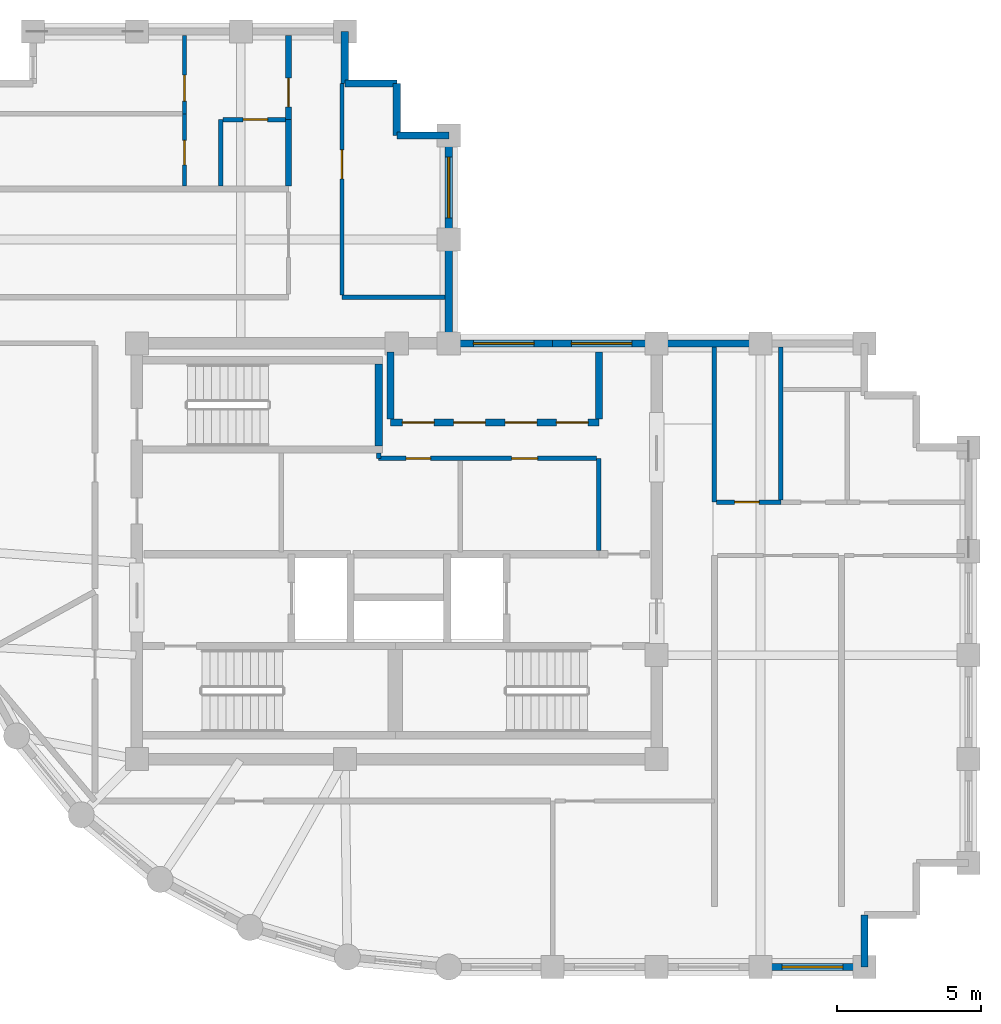
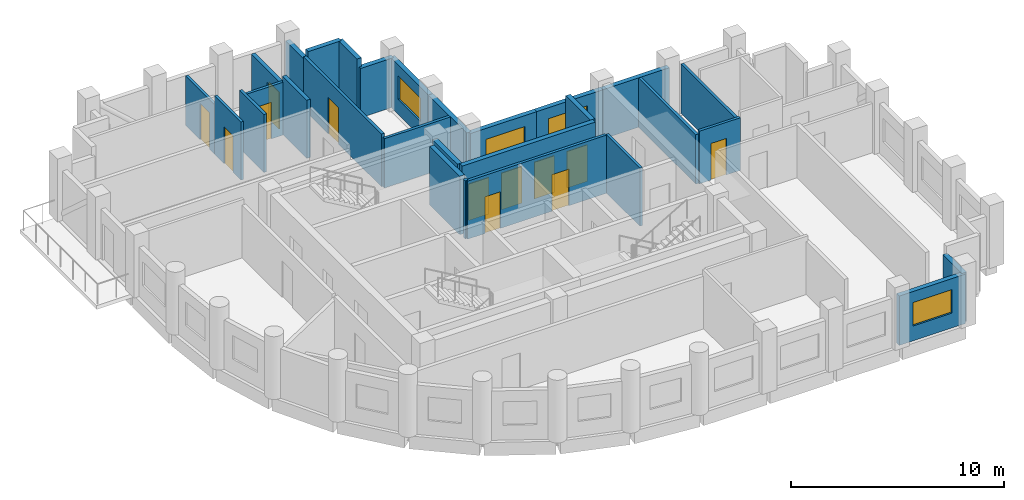
# One storey, part 4 of 6: 29 walls, 12 doors, 4 windows, 16 openings.
"""IFC4 building model written with IfcOpenShell, lengths in metres."""

from ifc_helpers import new_model, si_unit, direction, frame, frame_2d, origin, place, context, subcontext, project, spatial, rectangle, extrude, material, layer, layer_set, type_object, element, fill, save


model = new_model("IFC4")

# Units and contexts
model_context = context("Model", 3, precision=1e-05, world=origin(), true_north=direction((0.0, 1.0)))
body_context = subcontext(model_context, "Body", "Model", "MODEL_VIEW")
ifc_project = project(units=[si_unit("LENGTHUNIT", "METRE"), si_unit("AREAUNIT", "SQUARE_METRE"), si_unit("VOLUMEUNIT", "CUBIC_METRE"), si_unit("PLANEANGLEUNIT", "RADIAN"), si_unit("MASSUNIT", "GRAM", prefix="KILO")], contexts=[model_context])

# Site, building, storey
site_placement = place(None, origin())
site = spatial("IfcSite", under=ifc_project, at=site_placement, CompositionType="ELEMENT")
building_placement = place(site_placement, origin())
building = spatial("IfcBuilding", under=site, at=building_placement, Name="Solnavia Interchange Tower", CompositionType="ELEMENT")
storey_placement = place(building_placement, frame((0.0, 0.0, 270.199951171875)))
storey = spatial("IfcBuildingStorey", under=building, at=storey_placement, Name="L68", CompositionType="ELEMENT", Elevation=270.199951171875)

# Wall
ifc_material_1 = material(Name="Gypsum Acoustic Twin-Stud & Mineral Wool", Category="gypsum")
ifc_layer_1 = layer(ifc_material_1, 0.199951171875)
ifc_layer_set_1 = layer_set([ifc_layer_1], Name="Gypsum Acoustic Twin-Stud & Mineral Wool")
wall_type_1 = type_object("IfcWallType", Name="Wall-ApartmentParty-200", PredefinedType="PARTITIONING", material=ifc_layer_set_1)
wall_1_placement = place(storey_placement, frame((19.64990234375, 30.654052734375, 0.0), z_axis=(0.0, 0.0, 1.0), x_axis=(0.0, 1.0, 0.0)))
element("IfcWall", 1, at=wall_1_placement, inside=storey, type_object=wall_type_1, Name="PTW-L68-23 Interior partition wall", PredefinedType="PARTITIONING", context=body_context, shape_type="SweptSolid", body=[
    extrude(rectangle(XDim=2.2958984375, YDim=0.199951171875, at=frame_2d((1.14794921875, 0.0))), origin(), (0.0, 0.0, 1.0), 3.3349609375),
])

# Wall, opening, door
wall_2_placement = place(storey_placement, frame((19.64990234375, 32.949951171875, 0.0), z_axis=(0.0, 0.0, 1.0), x_axis=(0.0, 1.0, 0.0)))
wall_2 = element("IfcWall", 2, at=wall_2_placement, inside=storey, type_object=wall_type_1, Name="PTW-L68-26 Interior partition wall", PredefinedType="PARTITIONING", context=body_context, shape_type="SweptSolid", body=[
    extrude(rectangle(XDim=2.921142578125, YDim=0.199951171875, at=frame_2d((1.46044921875, 0.0))), origin(), (0.0, 0.0, 1.0), 2.830078125),
])
opening_1_placement = place(wall_2_placement, frame((0.43798828125, 0.0, 0.0)))
opening_1 = element("IfcOpeningElement", 3, at=opening_1_placement, cuts=wall_2, Name="Opening DR-06", PredefinedType="OPENING", context=body_context, shape_type="SweptSolid", body=[
    extrude(rectangle(XDim=1.0, YDim=2.10009765625, at=frame_2d((0.5, 1.050048828125))), frame((0.0, 0.10986328125, 0.0), z_axis=(0.0, -1.0, 0.0), x_axis=(1.0, 0.0, 0.0)), (0.0, 0.0, 1.0), 0.219970703125),
])
ifc_material_2 = material(Name="Engineered Timber Acoustic Fire Door", Category="wood")
door_type_1 = type_object("IfcDoorType", Name="Door-FlatEntry-1000x2100", OperationType="SINGLE_SWING_LEFT", PredefinedType="DOOR", material=ifc_material_2)
door_1_placement = place(opening_1_placement, origin())
door_1 = element("IfcDoor", 4, at=door_1_placement, inside=storey, type_object=door_type_1, Name="DR-L68-12 Interior room door", OperationType="SINGLE_SWING_RIGHT", OverallHeight=2.10009765625, OverallWidth=1.0, PredefinedType="DOOR", context=body_context, shape_type="SweptSolid", body=[
    extrude(rectangle(XDim=1.0, YDim=2.10009765625, at=frame_2d((0.5, 1.050048828125))), frame((0.0, 0.02490234375, 0.0), z_axis=(0.0, -1.0, 0.0), x_axis=(1.0, 0.0, 0.0)), (0.0, 0.0, 1.0), 0.050048828125),
])
fill(opening_1, door_1)

# Wall, opening, window
ifc_material_3 = material(Name="Concrete C40/50", Category="concrete")
ifc_layer_2 = layer(ifc_material_3, 0.25)
ifc_layer_set_2 = layer_set([ifc_layer_2], Name="Concrete C40/50")
wall_type_2 = type_object("IfcWallType", Name="Wall-ExtSpandrel-250", PredefinedType="STANDARD", material=ifc_layer_set_2)
wall_3_placement = place(storey_placement, frame((39.60009765625, 3.60009765625, 0.0), z_axis=(0.0, 0.0, 1.0), x_axis=(-1.0, 0.0, 0.0)))
wall_3 = element("IfcWall", 5, at=wall_3_placement, inside=storey, type_object=wall_type_2, Name="EXW-L68-04 Exterior precast spandrel wall", PredefinedType="STANDARD", context=body_context, shape_type="SweptSolid", body=[
    extrude(rectangle(XDim=3.60009765625, YDim=0.25, at=frame_2d((1.800048828125, 0.0))), origin(), (0.0, 0.0, 1.0), 2.830078125),
])
opening_2_placement = place(wall_3_placement, frame((0.75, 0.0, 0.85009765625)))
opening_2 = element("IfcOpeningElement", 6, at=opening_2_placement, cuts=wall_3, Name="Opening WIN-01", PredefinedType="OPENING", context=body_context, shape_type="SweptSolid", body=[
    extrude(rectangle(XDim=2.10009765625, YDim=1.35009765625, at=frame_2d((1.050048828125, 0.675048828125))), frame((0.0, 0.135009765625, 0.0), z_axis=(0.0, -1.0, 0.0), x_axis=(1.0, 0.0, 0.0)), (0.0, 0.0, 1.0), 0.27001953125),
])
ifc_material_4 = material(Name="Thermal-Break Aluminium & Low-E Glass", Category="aluminium")
window_type = type_object("IfcWindowType", Name="Window-Ribbon-2100x1350", PartitioningType="SINGLE_PANEL", PredefinedType="WINDOW", material=ifc_material_4)
window_1_placement = place(opening_2_placement, origin())
window_1 = element("IfcWindow", 7, at=window_1_placement, inside=storey, type_object=window_type, Name="WIN-L68-04 Facade ribbon window", OverallHeight=1.35009765625, OverallWidth=2.10009765625, PartitioningType="SINGLE_PANEL", PredefinedType="WINDOW", context=body_context, shape_type="SweptSolid", body=[
    extrude(rectangle(XDim=2.10009765625, YDim=1.35009765625, at=frame_2d((1.050048828125, 0.675048828125))), frame((0.0, 0.030029296875, 0.0), z_axis=(0.0, -1.0, 0.0), x_axis=(1.0, 0.0, 0.0)), (0.0, 0.0, 1.0), 0.06005859375),
])
fill(opening_2, window_1)

# Walls
wall_4_placement = place(storey_placement, frame((39.60009765625, 5.39990234375, 0.0), z_axis=(0.0, 0.0, 1.0), x_axis=(0.0, -1.0, 0.0)))
element("IfcWall", 8, at=wall_4_placement, inside=storey, type_object=wall_type_2, Name="EXW-L68-05 Exterior precast spandrel wall", PredefinedType="STANDARD", context=body_context, shape_type="SweptSolid", body=[
    extrude(rectangle(XDim=1.7998046875, YDim=0.25, at=frame_2d((0.89990234375, 0.0))), origin(), (0.0, 0.0, 1.0), 2.830078125),
])
wall_5_placement = place(storey_placement, frame((32.39990234375, 25.199951171875, 0.0), z_axis=(0.0, 0.0, 1.0), x_axis=(1.0, 0.0, 0.0)))
element("IfcWall", 9, at=wall_5_placement, inside=storey, type_object=wall_type_2, Name="EXW-L68-18 Exterior precast spandrel wall", PredefinedType="STANDARD", context=body_context, shape_type="SweptSolid", body=[
    extrude(rectangle(XDim=3.60009765625, YDim=0.25, at=frame_2d((1.800048828125, 0.0))), origin(), (0.0, 0.0, 1.0), 2.830078125),
])

# Wall, opening, window
wall_6_placement = place(storey_placement, frame((28.800048828125, 25.199951171875, 0.0), z_axis=(0.0, 0.0, 1.0), x_axis=(1.0, 0.0, 0.0)))
wall_6 = element("IfcWall", 10, at=wall_6_placement, inside=storey, type_object=wall_type_2, Name="EXW-L68-19 Exterior precast spandrel wall", PredefinedType="STANDARD", context=body_context, shape_type="SweptSolid", body=[
    extrude(rectangle(XDim=3.599853515625, YDim=0.25, at=frame_2d((1.7998046875, 0.0))), origin(), (0.0, 0.0, 1.0), 2.830078125),
])
opening_3_placement = place(wall_6_placement, frame((0.64501953125, 0.0, 0.85009765625)))
opening_3 = element("IfcOpeningElement", 11, at=opening_3_placement, cuts=wall_6, Name="Opening WIN-01", PredefinedType="OPENING", context=body_context, shape_type="SweptSolid", body=[
    extrude(rectangle(XDim=2.10009765625, YDim=1.35009765625, at=frame_2d((1.050048828125, 0.675048828125))), frame((0.0, 0.135009765625, 0.0), z_axis=(0.0, -1.0, 0.0), x_axis=(1.0, 0.0, 0.0)), (0.0, 0.0, 1.0), 0.27001953125),
])
window_2_placement = place(opening_3_placement, origin())
window_2 = element("IfcWindow", 12, at=window_2_placement, inside=storey, type_object=window_type, Name="WIN-L68-19 Facade ribbon window", OverallHeight=1.35009765625, OverallWidth=2.10009765625, PartitioningType="SINGLE_PANEL", PredefinedType="WINDOW", context=body_context, shape_type="SweptSolid", body=[
    extrude(rectangle(XDim=2.10009765625, YDim=1.35009765625, at=frame_2d((1.050048828125, 0.675048828125))), frame((0.0, 0.030029296875, 0.0), z_axis=(0.0, -1.0, 0.0), x_axis=(1.0, 0.0, 0.0)), (0.0, 0.0, 1.0), 0.06005859375),
])
fill(opening_3, window_2)

wall_7_placement = place(storey_placement, frame((25.199951171875, 25.199951171875, 0.0), z_axis=(0.0, 0.0, 1.0), x_axis=(1.0, 0.0, 0.0)))
wall_7 = element("IfcWall", 13, at=wall_7_placement, inside=storey, type_object=wall_type_2, Name="EXW-L68-20 Exterior precast spandrel wall", PredefinedType="STANDARD", context=body_context, shape_type="SweptSolid", body=[
    extrude(rectangle(XDim=3.60009765625, YDim=0.25, at=frame_2d((1.800048828125, 0.0))), origin(), (0.0, 0.0, 1.0), 2.830078125),
])
opening_4_placement = place(wall_7_placement, frame((0.85498046875, 0.0, 0.85009765625)))
opening_4 = element("IfcOpeningElement", 14, at=opening_4_placement, cuts=wall_7, Name="Opening WIN-01", PredefinedType="OPENING", context=body_context, shape_type="SweptSolid", body=[
    extrude(rectangle(XDim=2.10009765625, YDim=1.35009765625, at=frame_2d((1.050048828125, 0.675048828125))), frame((0.0, 0.135009765625, 0.0), z_axis=(0.0, -1.0, 0.0), x_axis=(1.0, 0.0, 0.0)), (0.0, 0.0, 1.0), 0.27001953125),
])
window_3_placement = place(opening_4_placement, origin())
window_3 = element("IfcWindow", 15, at=window_3_placement, inside=storey, type_object=window_type, Name="WIN-L68-20 Facade ribbon window", OverallHeight=1.35009765625, OverallWidth=2.10009765625, PartitioningType="SINGLE_PANEL", PredefinedType="WINDOW", context=body_context, shape_type="SweptSolid", body=[
    extrude(rectangle(XDim=2.10009765625, YDim=1.35009765625, at=frame_2d((1.050048828125, 0.675048828125))), frame((0.0, 0.030029296875, 0.0), z_axis=(0.0, -1.0, 0.0), x_axis=(1.0, 0.0, 0.0)), (0.0, 0.0, 1.0), 0.06005859375),
])
fill(opening_4, window_3)

# Wall
wall_8_placement = place(storey_placement, frame((25.199951171875, 28.800048828125, 0.0), z_axis=(0.0, 0.0, 1.0), x_axis=(0.0, -1.0, 0.0)))
element("IfcWall", 16, at=wall_8_placement, inside=storey, type_object=wall_type_2, Name="EXW-L68-21 Exterior precast spandrel wall", PredefinedType="STANDARD", context=body_context, shape_type="SweptSolid", body=[
    extrude(rectangle(XDim=3.60009765625, YDim=0.25, at=frame_2d((1.800048828125, 0.0))), origin(), (0.0, 0.0, 1.0), 2.830078125),
])

# Wall, opening, window
wall_9_placement = place(storey_placement, frame((25.199951171875, 32.39990234375, 0.0), z_axis=(0.0, 0.0, 1.0), x_axis=(0.0, -1.0, 0.0)))
wall_9 = element("IfcWall", 17, at=wall_9_placement, inside=storey, type_object=wall_type_2, Name="EXW-L68-22 Exterior precast spandrel wall", PredefinedType="STANDARD", context=body_context, shape_type="SweptSolid", body=[
    extrude(rectangle(XDim=3.599853515625, YDim=0.25, at=frame_2d((1.7998046875, 0.0))), origin(), (0.0, 0.0, 1.0), 2.830078125),
])
opening_5_placement = place(wall_9_placement, frame((0.75, 0.0, 0.85009765625)))
opening_5 = element("IfcOpeningElement", 18, at=opening_5_placement, cuts=wall_9, Name="Opening WIN-01", PredefinedType="OPENING", context=body_context, shape_type="SweptSolid", body=[
    extrude(rectangle(XDim=2.10009765625, YDim=1.35009765625, at=frame_2d((1.050048828125, 0.675048828125))), frame((0.0, 0.135009765625, 0.0), z_axis=(0.0, -1.0, 0.0), x_axis=(1.0, 0.0, 0.0)), (0.0, 0.0, 1.0), 0.27001953125),
])
window_4_placement = place(opening_5_placement, origin())
window_4 = element("IfcWindow", 19, at=window_4_placement, inside=storey, type_object=window_type, Name="WIN-L68-22 Facade ribbon window", OverallHeight=1.35009765625, OverallWidth=2.10009765625, PartitioningType="SINGLE_PANEL", PredefinedType="WINDOW", context=body_context, shape_type="SweptSolid", body=[
    extrude(rectangle(XDim=2.10009765625, YDim=1.35009765625, at=frame_2d((1.050048828125, 0.675048828125))), frame((0.0, 0.030029296875, 0.0), z_axis=(0.0, -1.0, 0.0), x_axis=(1.0, 0.0, 0.0)), (0.0, 0.0, 1.0), 0.06005859375),
])
fill(opening_5, window_4)

# Walls
wall_10_placement = place(storey_placement, frame((23.39990234375, 32.39990234375, 0.0), z_axis=(0.0, 0.0, 1.0), x_axis=(1.0, 0.0, 0.0)))
element("IfcWall", 20, at=wall_10_placement, inside=storey, type_object=wall_type_2, Name="EXW-L68-23 Exterior precast spandrel wall", PredefinedType="STANDARD", context=body_context, shape_type="SweptSolid", body=[
    extrude(rectangle(XDim=1.800048828125, YDim=0.25, at=frame_2d((0.89990234375, 0.0))), origin(), (0.0, 0.0, 1.0), 2.830078125),
])
wall_11_placement = place(storey_placement, frame((23.39990234375, 32.39990234375, 0.0), z_axis=(0.0, 0.0, 1.0), x_axis=(0.0, 1.0, 0.0)))
element("IfcWall", 21, at=wall_11_placement, inside=storey, type_object=wall_type_2, Name="EXW-L68-24 Exterior precast spandrel wall", PredefinedType="STANDARD", context=body_context, shape_type="SweptSolid", body=[
    extrude(rectangle(XDim=1.800048828125, YDim=0.25, at=frame_2d((0.89990234375, 0.0))), origin(), (0.0, 0.0, 1.0), 3.3349609375),
])
wall_12_placement = place(storey_placement, frame((21.60009765625, 34.199951171875, 0.0), z_axis=(0.0, 0.0, 1.0), x_axis=(1.0, 0.0, 0.0)))
element("IfcWall", 22, at=wall_12_placement, inside=storey, type_object=wall_type_2, Name="EXW-L68-25 Exterior precast spandrel wall", PredefinedType="STANDARD", context=body_context, shape_type="SweptSolid", body=[
    extrude(rectangle(XDim=1.7998046875, YDim=0.25, at=frame_2d((0.89990234375, 0.0))), origin(), (0.0, 0.0, 1.0), 3.3349609375),
])
wall_13_placement = place(storey_placement, frame((21.60009765625, 34.199951171875, 0.0), z_axis=(0.0, 0.0, 1.0), x_axis=(0.0, 1.0, 0.0)))
element("IfcWall", 23, at=wall_13_placement, inside=storey, type_object=wall_type_2, Name="EXW-L68-26 Exterior precast spandrel wall", PredefinedType="STANDARD", context=body_context, shape_type="SweptSolid", body=[
    extrude(rectangle(XDim=1.800048828125, YDim=0.25, at=frame_2d((0.89990234375, 0.0))), origin(), (0.0, 0.0, 1.0), 2.830078125),
])

# Wall, openings, doors
ifc_material_5 = material(Name="Gypsum Plasterboard & Steel Stud", Category="steel")
ifc_layer_3 = layer(ifc_material_5, 0.14990234375)
ifc_layer_set_3 = layer_set([ifc_layer_3], Name="Gypsum Plasterboard & Steel Stud")
wall_type_3 = type_object("IfcWallType", Name="Wall-Partition-150", PredefinedType="PARTITIONING", material=ifc_layer_set_3)
wall_14_placement = place(storey_placement, frame((22.77490234375, 21.219970703125, 0.0), z_axis=(0.0, 0.0, 1.0), x_axis=(1.0, 0.0, 0.0)))
wall_14 = element("IfcWall", 24, at=wall_14_placement, inside=storey, type_object=wall_type_3, Name="CSW-L68-N-ALL Core shaft wall", PredefinedType="PARTITIONING", context=body_context, shape_type="SweptSolid", body=[
    extrude(rectangle(XDim=7.545166015625, YDim=0.14990234375, at=frame_2d((3.7724609375, 0.0))), origin(), (0.0, 0.0, 1.0), 3.3349609375),
])
opening_6_placement = place(wall_14_placement, frame((0.949951171875, 0.0, 0.0)))
opening_6 = element("IfcOpeningElement", 25, at=opening_6_placement, cuts=wall_14, Name="Opening DR-10", PredefinedType="OPENING", context=body_context, shape_type="SweptSolid", body=[
    extrude(rectangle(XDim=0.85009765625, YDim=2.10009765625, at=frame_2d((0.425048828125, 1.050048828125))), frame((0.0, 0.0849609375, 0.0), z_axis=(0.0, -1.0, 0.0), x_axis=(1.0, 0.0, 0.0)), (0.0, 0.0, 1.0), 0.169921875),
])
opening_7_placement = place(wall_14_placement, frame((4.60009765625, 0.0, 0.0)))
opening_7 = element("IfcOpeningElement", 26, at=opening_7_placement, cuts=wall_14, Name="Opening DR-09", PredefinedType="OPENING", context=body_context, shape_type="SweptSolid", body=[
    extrude(rectangle(XDim=0.89990234375, YDim=2.10009765625, at=frame_2d((0.449951171875, 1.050048828125))), frame((0.0, 0.0849609375, 0.0), z_axis=(0.0, -1.0, 0.0), x_axis=(1.0, 0.0, 0.0)), (0.0, 0.0, 1.0), 0.169921875),
])
ifc_material_6 = material(Name="Moisture-Resistant Timber Door", Category="wood")
door_type_2 = type_object("IfcDoorType", Name="Door-Bathroom-850x2100", OperationType="SINGLE_SWING_RIGHT", PredefinedType="DOOR", material=ifc_material_6)
door_2_placement = place(opening_6_placement, origin())
door_2 = element("IfcDoor", 27, at=door_2_placement, inside=storey, type_object=door_type_2, Name="DR-L68-CS2 Core fire door", OperationType="SINGLE_SWING_LEFT", OverallHeight=2.10009765625, OverallWidth=0.85009765625, PredefinedType="DOOR", context=body_context, shape_type="SweptSolid", body=[
    extrude(rectangle(XDim=0.85009765625, YDim=2.10009765625, at=frame_2d((0.425048828125, 1.050048828125))), frame((0.0, 0.02490234375, 0.0), z_axis=(0.0, -1.0, 0.0), x_axis=(1.0, 0.0, 0.0)), (0.0, 0.0, 1.0), 0.050048828125),
])
fill(opening_6, door_2)
ifc_material_7 = material(Name="Engineered Oak Veneer Door", Category="wood")
door_type_3 = type_object("IfcDoorType", Name="Door-Internal-900x2100", OperationType="SINGLE_SWING_LEFT", PredefinedType="DOOR", material=ifc_material_7)
door_3_placement = place(opening_7_placement, origin())
door_3 = element("IfcDoor", 28, at=door_3_placement, inside=storey, type_object=door_type_3, Name="DR-L68-CS3 Core fire door", OperationType="SINGLE_SWING_RIGHT", OverallHeight=2.10009765625, OverallWidth=0.89990234375, PredefinedType="DOOR", context=body_context, shape_type="SweptSolid", body=[
    extrude(rectangle(XDim=0.89990234375, YDim=2.10009765625, at=frame_2d((0.449951171875, 1.050048828125))), frame((0.0, 0.02490234375, 0.0), z_axis=(0.0, -1.0, 0.0), x_axis=(1.0, 0.0, 0.0)), (0.0, 0.0, 1.0), 0.050048828125),
])
fill(opening_7, door_3)

# Walls
wall_15_placement = place(storey_placement, frame((22.77490234375, 21.219970703125, 0.0), z_axis=(0.0, 0.0, 1.0), x_axis=(0.0, 1.0, 0.0)))
element("IfcWall", 29, at=wall_15_placement, inside=storey, type_object=wall_type_3, Name="CSW-L68-ST-TIE Core shaft wall", PredefinedType="PARTITIONING", context=body_context, shape_type="SweptSolid", body=[
    extrude(rectangle(XDim=0.175048828125, YDim=0.14990234375, at=frame_2d((0.08740234375, 0.0))), origin(), (0.0, 0.0, 1.0), 3.3349609375),
])
wall_16_placement = place(storey_placement, frame((30.39990234375, 18.02001953125, 0.0), z_axis=(0.0, 0.0, 1.0), x_axis=(0.0, 1.0, 0.0)))
element("IfcWall", 30, at=wall_16_placement, inside=storey, type_object=wall_type_3, Name="CSW-L68-E-E Core shaft wall", PredefinedType="PARTITIONING", context=body_context, shape_type="SweptSolid", body=[
    extrude(rectangle(XDim=3.199951171875, YDim=0.14990234375, at=frame_2d((1.60009765625, 0.0))), origin(), (0.0, 0.0, 1.0), 3.3349609375),
])

# Wall, opening, door
wall_17_placement = place(storey_placement, frame((16.050048828125, 33.14990234375, 0.0), z_axis=(0.0, 0.0, 1.0), x_axis=(0.0, 1.0, 0.0)))
wall_17 = element("IfcWall", 31, at=wall_17_placement, inside=storey, type_object=wall_type_3, Name="PTW-L68-27 Interior partition wall", PredefinedType="PARTITIONING", context=body_context, shape_type="SweptSolid", body=[
    extrude(rectangle(XDim=2.72119140625, YDim=0.14990234375, at=frame_2d((1.360595703125, 0.0))), origin(), (0.0, 0.0, 1.0), 2.830078125),
])
opening_8_placement = place(wall_17_placement, frame((0.43701171875, 0.0, 0.0)))
opening_8 = element("IfcOpeningElement", 32, at=opening_8_placement, cuts=wall_17, Name="Opening DR-09", PredefinedType="OPENING", context=body_context, shape_type="SweptSolid", body=[
    extrude(rectangle(XDim=0.89990234375, YDim=2.10009765625, at=frame_2d((0.449951171875, 1.050048828125))), frame((0.0, 0.0849609375, 0.0), z_axis=(0.0, -1.0, 0.0), x_axis=(1.0, 0.0, 0.0)), (0.0, 0.0, 1.0), 0.169921875),
])
door_4_placement = place(opening_8_placement, origin())
door_4 = element("IfcDoor", 33, at=door_4_placement, inside=storey, type_object=door_type_3, Name="DR-L68-13 Interior room door", OperationType="SINGLE_SWING_LEFT", OverallHeight=2.10009765625, OverallWidth=0.89990234375, PredefinedType="DOOR", context=body_context, shape_type="SweptSolid", body=[
    extrude(rectangle(XDim=0.89990234375, YDim=2.10009765625, at=frame_2d((0.449951171875, 1.050048828125))), frame((0.0, 0.02490234375, 0.0), z_axis=(0.0, -1.0, 0.0), x_axis=(1.0, 0.0, 0.0)), (0.0, 0.0, 1.0), 0.050048828125),
])
fill(opening_8, door_4)

# Wall
wall_18_placement = place(storey_placement, frame((21.5, 26.800048828125, 0.0), z_axis=(0.0, 0.0, 1.0), x_axis=(1.0, 0.0, 0.0)))
element("IfcWall", 34, at=wall_18_placement, inside=storey, type_object=wall_type_3, Name="PTW-L68-30 Interior partition wall", PredefinedType="PARTITIONING", context=body_context, shape_type="SweptSolid", body=[
    extrude(rectangle(XDim=3.571044921875, YDim=0.14990234375, at=frame_2d((1.78564453125, 0.0))), origin(), (0.0, 0.0, 1.0), 2.830078125),
])

# Wall, opening, door
wall_19_placement = place(storey_placement, frame((21.5, 26.87890625, 0.0), z_axis=(0.0, 0.0, 1.0), x_axis=(0.0, 1.0, 0.0)))
wall_19 = element("IfcWall", 35, at=wall_19_placement, inside=storey, type_object=wall_type_3, Name="PTW-L68-31 Interior partition wall", PredefinedType="PARTITIONING", context=body_context, shape_type="SweptSolid", body=[
    extrude(rectangle(XDim=7.321044921875, YDim=0.14990234375, at=frame_2d((3.66064453125, 0.0))), origin(), (0.0, 0.0, 1.0), 3.030029296875),
])
opening_9_placement = place(wall_19_placement, frame((4.02099609375, 0.0, 0.0)))
opening_9 = element("IfcOpeningElement", 36, at=opening_9_placement, cuts=wall_19, Name="Opening DR-07", PredefinedType="OPENING", context=body_context, shape_type="SweptSolid", body=[
    extrude(rectangle(XDim=1.0, YDim=2.10009765625, at=frame_2d((0.5, 1.050048828125))), frame((0.0, 0.0849609375, 0.0), z_axis=(0.0, -1.0, 0.0), x_axis=(1.0, 0.0, 0.0)), (0.0, 0.0, 1.0), 0.169921875),
])
ifc_material_8 = material(Name="Timber & Acoustic Glazed Office Door", Category="wood")
door_type_4 = type_object("IfcDoorType", Name="Door-Office-1000x2100", OperationType="SINGLE_SWING_RIGHT", PredefinedType="DOOR", material=ifc_material_8)
door_5_placement = place(opening_9_placement, origin())
door_5 = element("IfcDoor", 37, at=door_5_placement, inside=storey, type_object=door_type_4, Name="DR-L68-15 Interior room door", OperationType="SINGLE_SWING_LEFT", OverallHeight=2.10009765625, OverallWidth=1.0, PredefinedType="DOOR", context=body_context, shape_type="SweptSolid", body=[
    extrude(rectangle(XDim=1.0, YDim=2.10009765625, at=frame_2d((0.5, 1.050048828125))), frame((0.0, 0.02490234375, 0.0), z_axis=(0.0, -1.0, 0.0), x_axis=(1.0, 0.0, 0.0)), (0.0, 0.0, 1.0), 0.050048828125),
])
fill(opening_9, door_5)

# Wall
ifc_layer_4 = layer(ifc_material_3, 0.25)
ifc_layer_set_4 = layer_set([ifc_layer_4], Name="Concrete C40/50")
wall_type_4 = type_object("IfcWallType", Name="Wall-ShaftCore-250", PredefinedType="SHEAR", material=ifc_layer_set_4)
wall_20_placement = place(storey_placement, frame((22.77490234375, 21.64990234375, 0.0), z_axis=(0.0, 0.0, 1.0), x_axis=(0.0, 1.0, 0.0)))
element("IfcWall", 38, at=wall_20_placement, inside=storey, type_object=wall_type_4, Name="SHW-L68-ST3E Core shear wall", PredefinedType="SHEAR", context=body_context, shape_type="SweptSolid", body=[
    extrude(rectangle(XDim=2.840087890625, YDim=0.25, at=frame_2d((1.419921875, 0.0))), origin(), (0.0, 0.0, 1.0), 3.35009765625),
])

# Wall, openings, doors
ifc_layer_5 = layer(ifc_material_3, 0.25)
ifc_layer_set_5 = layer_set([ifc_layer_5], Name="Concrete C40/50")
wall_type_5 = type_object("IfcWallType", Name="Wall-ShaftPart-250", PredefinedType="PARTITIONING", material=ifc_layer_set_5)
wall_21_placement = place(storey_placement, frame((23.179931640625, 22.4599609375, 0.0), z_axis=(0.0, 0.0, 1.0), x_axis=(1.0, 0.0, 0.0)))
wall_21 = element("IfcWall", 39, at=wall_21_placement, inside=storey, type_object=wall_type_5, Name="SHW-L68-B3S Core shaft wall", PredefinedType="PARTITIONING", context=body_context, shape_type="SweptSolid", body=[
    extrude(rectangle(XDim=7.219970703125, YDim=0.25, at=frame_2d((3.60986328125, 0.0))), origin(), (0.0, 0.0, 1.0), 3.3349609375),
])
opening_10_placement = place(wall_21_placement, frame((0.409912109375, 0.0, 0.0)))
opening_10 = element("IfcOpeningElement", 40, at=opening_10_placement, cuts=wall_21, Name="Opening LD-01", PredefinedType="OPENING", context=body_context, shape_type="SweptSolid", body=[
    extrude(rectangle(XDim=1.10009765625, YDim=2.10009765625, at=frame_2d((0.550048828125, 1.050048828125))), frame((0.0, 0.135009765625, 0.0), z_axis=(0.0, -1.0, 0.0), x_axis=(1.0, 0.0, 0.0)), (0.0, 0.0, 1.0), 0.27001953125),
])
opening_11_placement = place(wall_21_placement, frame((2.18994140625, 0.0, 0.0)))
opening_11 = element("IfcOpeningElement", 41, at=opening_11_placement, cuts=wall_21, Name="Opening LD-01", PredefinedType="OPENING", context=body_context, shape_type="SweptSolid", body=[
    extrude(rectangle(XDim=1.10009765625, YDim=2.10009765625, at=frame_2d((0.550048828125, 1.050048828125))), frame((0.0, 0.135009765625, 0.0), z_axis=(0.0, -1.0, 0.0), x_axis=(1.0, 0.0, 0.0)), (0.0, 0.0, 1.0), 0.27001953125),
])
opening_12_placement = place(wall_21_placement, frame((3.969970703125, 0.0, 0.0)))
opening_12 = element("IfcOpeningElement", 42, at=opening_12_placement, cuts=wall_21, Name="Opening LD-01", PredefinedType="OPENING", context=body_context, shape_type="SweptSolid", body=[
    extrude(rectangle(XDim=1.10009765625, YDim=2.10009765625, at=frame_2d((0.550048828125, 1.050048828125))), frame((0.0, 0.135009765625, 0.0), z_axis=(0.0, -1.0, 0.0), x_axis=(1.0, 0.0, 0.0)), (0.0, 0.0, 1.0), 0.27001953125),
])
opening_13_placement = place(wall_21_placement, frame((5.75, 0.0, 0.0)))
opening_13 = element("IfcOpeningElement", 43, at=opening_13_placement, cuts=wall_21, Name="Opening LD-01", PredefinedType="OPENING", context=body_context, shape_type="SweptSolid", body=[
    extrude(rectangle(XDim=1.10009765625, YDim=2.10009765625, at=frame_2d((0.550048828125, 1.050048828125))), frame((0.0, 0.135009765625, 0.0), z_axis=(0.0, -1.0, 0.0), x_axis=(1.0, 0.0, 0.0)), (0.0, 0.0, 1.0), 0.27001953125),
])
ifc_material_9 = material(Name="Brushed Stainless Steel Sliding Door", Category="steel")
door_type_5 = type_object("IfcDoorType", Name="Door-LiftLanding-1100x2100", OperationType="SLIDING_TO_LEFT", PredefinedType="DOOR", material=ifc_material_9)
door_6_placement = place(opening_10_placement, origin())
door_6 = element("IfcDoor", 44, at=door_6_placement, inside=storey, type_object=door_type_5, Name="LD-L68-B3-1 Lift landing sliding door", OperationType="SLIDING_TO_LEFT", OverallHeight=2.10009765625, OverallWidth=1.10009765625, PredefinedType="DOOR", context=body_context, shape_type="SweptSolid", body=[
    extrude(rectangle(XDim=1.10009765625, YDim=2.10009765625, at=frame_2d((0.550048828125, 1.050048828125))), frame((0.0, 0.02490234375, 0.0), z_axis=(0.0, -1.0, 0.0), x_axis=(1.0, 0.0, 0.0)), (0.0, 0.0, 1.0), 0.050048828125),
])
fill(opening_10, door_6)
door_7_placement = place(opening_11_placement, origin())
door_7 = element("IfcDoor", 45, at=door_7_placement, inside=storey, type_object=door_type_5, Name="LD-L68-B3-2 Lift landing sliding door", OperationType="SLIDING_TO_LEFT", OverallHeight=2.10009765625, OverallWidth=1.10009765625, PredefinedType="DOOR", context=body_context, shape_type="SweptSolid", body=[
    extrude(rectangle(XDim=1.10009765625, YDim=2.10009765625, at=frame_2d((0.550048828125, 1.050048828125))), frame((0.0, 0.02490234375, 0.0), z_axis=(0.0, -1.0, 0.0), x_axis=(1.0, 0.0, 0.0)), (0.0, 0.0, 1.0), 0.050048828125),
])
fill(opening_11, door_7)
door_8_placement = place(opening_12_placement, origin())
door_8 = element("IfcDoor", 46, at=door_8_placement, inside=storey, type_object=door_type_5, Name="LD-L68-B3-3 Lift landing sliding door", OperationType="SLIDING_TO_LEFT", OverallHeight=2.10009765625, OverallWidth=1.10009765625, PredefinedType="DOOR", context=body_context, shape_type="SweptSolid", body=[
    extrude(rectangle(XDim=1.10009765625, YDim=2.10009765625, at=frame_2d((0.550048828125, 1.050048828125))), frame((0.0, 0.02490234375, 0.0), z_axis=(0.0, -1.0, 0.0), x_axis=(1.0, 0.0, 0.0)), (0.0, 0.0, 1.0), 0.050048828125),
])
fill(opening_12, door_8)
door_9_placement = place(opening_13_placement, origin())
door_9 = element("IfcDoor", 47, at=door_9_placement, inside=storey, type_object=door_type_5, Name="LD-L68-B3-4 Lift landing sliding door", OperationType="SLIDING_TO_LEFT", OverallHeight=2.10009765625, OverallWidth=1.10009765625, PredefinedType="DOOR", context=body_context, shape_type="SweptSolid", body=[
    extrude(rectangle(XDim=1.10009765625, YDim=2.10009765625, at=frame_2d((0.550048828125, 1.050048828125))), frame((0.0, 0.02490234375, 0.0), z_axis=(0.0, -1.0, 0.0), x_axis=(1.0, 0.0, 0.0)), (0.0, 0.0, 1.0), 0.050048828125),
])
fill(opening_13, door_9)

# Walls
for number, where, z_axis, x_axis, name in (
    (48, (23.179931640625, 22.5849609375, 0.0), (0.0, 0.0, 1.0), (0.0, 1.0, 0.0), "SHW-L68-B3W Core shaft wall"),
    (49, (30.39990234375, 22.5849609375, 0.0), (0.0, 0.0, 1.0), (0.0, 1.0, 0.0), "SHW-L68-B3E Core shaft wall"),
):
    element("IfcWall", number, at=place(storey_placement, frame(where, z_axis=z_axis, x_axis=x_axis)), inside=storey, type_object=wall_type_5, Name=name, PredefinedType="PARTITIONING", context=body_context, shape_type="SweptSolid", body=[
        extrude(rectangle(XDim=2.31494140625, YDim=0.25, at=frame_2d((1.157470703125, 0.0))), origin(), (0.0, 0.0, 1.0), 3.3349609375),
    ])
ifc_material_10 = material(Name="Moisture-Resistant Gypsum & Steel Stud", Category="steel")
ifc_layer_6 = layer(ifc_material_10, 0.14990234375)
ifc_layer_set_6 = layer_set([ifc_layer_6], Name="Moisture-Resistant Gypsum & Steel Stud")
wall_type_6 = type_object("IfcWallType", Name="Wall-WetRoom-150", PredefinedType="PARTITIONING", material=ifc_layer_set_6)
wall_22_placement = place(storey_placement, frame((34.39990234375, 19.699951171875, 0.0), z_axis=(0.0, 0.0, 1.0), x_axis=(0.0, 1.0, 0.0)))
element("IfcWall", 50, at=wall_22_placement, inside=storey, type_object=wall_type_6, Name="PTW-L68-01 Interior partition wall", PredefinedType="PARTITIONING", context=body_context, shape_type="SweptSolid", body=[
    extrude(rectangle(XDim=5.37109375, YDim=0.14990234375, at=frame_2d((2.685546875, 0.0))), origin(), (0.0, 0.0, 1.0), 2.830078125),
])

# Wall, opening, door
wall_23_placement = place(storey_placement, frame((34.47900390625, 19.699951171875, 0.0), z_axis=(0.0, 0.0, 1.0), x_axis=(1.0, 0.0, 0.0)))
wall_23 = element("IfcWall", 51, at=wall_23_placement, inside=storey, type_object=wall_type_6, Name="PTW-L68-02 Interior partition wall", PredefinedType="PARTITIONING", context=body_context, shape_type="SweptSolid", body=[
    extrude(rectangle(XDim=2.220947265625, YDim=0.14990234375, at=frame_2d((1.1103515625, 0.0))), origin(), (0.0, 0.0, 1.0), 3.02001953125),
])
opening_14_placement = place(wall_23_placement, frame((0.617919921875, 0.0, 0.0)))
opening_14 = element("IfcOpeningElement", 52, at=opening_14_placement, cuts=wall_23, Name="Opening DR-10", PredefinedType="OPENING", context=body_context, shape_type="SweptSolid", body=[
    extrude(rectangle(XDim=0.85009765625, YDim=2.10009765625, at=frame_2d((0.425048828125, 1.050048828125))), frame((0.0, 0.0849609375, 0.0), z_axis=(0.0, -1.0, 0.0), x_axis=(1.0, 0.0, 0.0)), (0.0, 0.0, 1.0), 0.169921875),
])
door_10_placement = place(opening_14_placement, origin())
door_10 = element("IfcDoor", 53, at=door_10_placement, inside=storey, type_object=door_type_2, Name="DR-L68-01 Interior room door", OperationType="SINGLE_SWING_LEFT", OverallHeight=2.10009765625, OverallWidth=0.85009765625, PredefinedType="DOOR", context=body_context, shape_type="SweptSolid", body=[
    extrude(rectangle(XDim=0.85009765625, YDim=2.10009765625, at=frame_2d((0.425048828125, 1.050048828125))), frame((0.0, 0.02490234375, 0.0), z_axis=(0.0, -1.0, 0.0), x_axis=(1.0, 0.0, 0.0)), (0.0, 0.0, 1.0), 0.050048828125),
])
fill(opening_14, door_10)

# Walls
wall_24_placement = place(storey_placement, frame((36.699951171875, 19.779052734375, 0.0), z_axis=(0.0, 0.0, 1.0), x_axis=(0.0, 1.0, 0.0)))
element("IfcWall", 54, at=wall_24_placement, inside=storey, type_object=wall_type_6, Name="PTW-L68-03 Interior partition wall", PredefinedType="PARTITIONING", context=body_context, shape_type="SweptSolid", body=[
    extrude(rectangle(XDim=5.2919921875, YDim=0.14990234375, at=frame_2d((2.64599609375, 0.0))), origin(), (0.0, 0.0, 1.0), 2.830078125),
])
wall_25_placement = place(storey_placement, frame((17.300048828125, 30.654052734375, 0.0), z_axis=(0.0, 0.0, 1.0), x_axis=(0.0, 1.0, 0.0)))
element("IfcWall", 55, at=wall_25_placement, inside=storey, type_object=wall_type_6, Name="PTW-L68-24 Interior partition wall", PredefinedType="PARTITIONING", context=body_context, shape_type="SweptSolid", body=[
    extrude(rectangle(XDim=2.2958984375, YDim=0.14990234375, at=frame_2d((1.14794921875, 0.0))), origin(), (0.0, 0.0, 1.0), 3.3349609375),
])

# Wall, opening, door
wall_26_placement = place(storey_placement, frame((17.37890625, 32.949951171875, 0.0), z_axis=(0.0, 0.0, 1.0), x_axis=(1.0, 0.0, 0.0)))
wall_26 = element("IfcWall", 56, at=wall_26_placement, inside=storey, type_object=wall_type_6, Name="PTW-L68-25 Interior partition wall", PredefinedType="PARTITIONING", context=body_context, shape_type="SweptSolid", body=[
    extrude(rectangle(XDim=2.1669921875, YDim=0.14990234375, at=frame_2d((1.08349609375, 0.0))), origin(), (0.0, 0.0, 1.0), 3.030029296875),
])
opening_15_placement = place(wall_26_placement, frame((0.700927734375, 0.0, 0.0)))
opening_15 = element("IfcOpeningElement", 57, at=opening_15_placement, cuts=wall_26, Name="Opening DR-10", PredefinedType="OPENING", context=body_context, shape_type="SweptSolid", body=[
    extrude(rectangle(XDim=0.85009765625, YDim=2.10009765625, at=frame_2d((0.425048828125, 1.050048828125))), frame((0.0, 0.0849609375, 0.0), z_axis=(0.0, -1.0, 0.0), x_axis=(1.0, 0.0, 0.0)), (0.0, 0.0, 1.0), 0.169921875),
])
door_11_placement = place(opening_15_placement, origin())
door_11 = element("IfcDoor", 58, at=door_11_placement, inside=storey, type_object=door_type_2, Name="DR-L68-11 Interior room door", OperationType="SINGLE_SWING_RIGHT", OverallHeight=2.10009765625, OverallWidth=0.85009765625, PredefinedType="DOOR", context=body_context, shape_type="SweptSolid", body=[
    extrude(rectangle(XDim=0.85009765625, YDim=2.10009765625, at=frame_2d((0.425048828125, 1.050048828125))), frame((0.0, 0.02490234375, 0.0), z_axis=(0.0, -1.0, 0.0), x_axis=(1.0, 0.0, 0.0)), (0.0, 0.0, 1.0), 0.050048828125),
])
fill(opening_15, door_11)

wall_27_placement = place(storey_placement, frame((16.050048828125, 30.654052734375, 0.0), z_axis=(0.0, 0.0, 1.0), x_axis=(0.0, 1.0, 0.0)))
wall_27 = element("IfcWall", 59, at=wall_27_placement, inside=storey, type_object=wall_type_6, Name="PTW-L68-28 Interior partition wall", PredefinedType="PARTITIONING", context=body_context, shape_type="SweptSolid", body=[
    extrude(rectangle(XDim=2.495849609375, YDim=0.14990234375, at=frame_2d((1.248046875, 0.0))), origin(), (0.0, 0.0, 1.0), 3.3349609375),
])
opening_16_placement = place(wall_27_placement, frame((0.73095703125, 0.0, 0.0)))
opening_16 = element("IfcOpeningElement", 60, at=opening_16_placement, cuts=wall_27, Name="Opening DR-10", PredefinedType="OPENING", context=body_context, shape_type="SweptSolid", body=[
    extrude(rectangle(XDim=0.85009765625, YDim=2.10009765625, at=frame_2d((0.425048828125, 1.050048828125))), frame((0.0, 0.0849609375, 0.0), z_axis=(0.0, -1.0, 0.0), x_axis=(1.0, 0.0, 0.0)), (0.0, 0.0, 1.0), 0.169921875),
])
door_12_placement = place(opening_16_placement, origin())
door_12 = element("IfcDoor", 61, at=door_12_placement, inside=storey, type_object=door_type_2, Name="DR-L68-14 Interior room door", OperationType="SINGLE_SWING_RIGHT", OverallHeight=2.10009765625, OverallWidth=0.85009765625, PredefinedType="DOOR", context=body_context, shape_type="SweptSolid", body=[
    extrude(rectangle(XDim=0.85009765625, YDim=2.10009765625, at=frame_2d((0.425048828125, 1.050048828125))), frame((0.0, 0.02490234375, 0.0), z_axis=(0.0, -1.0, 0.0), x_axis=(1.0, 0.0, 0.0)), (0.0, 0.0, 1.0), 0.050048828125),
])
fill(opening_16, door_12)

save(model, "model.ifc")
